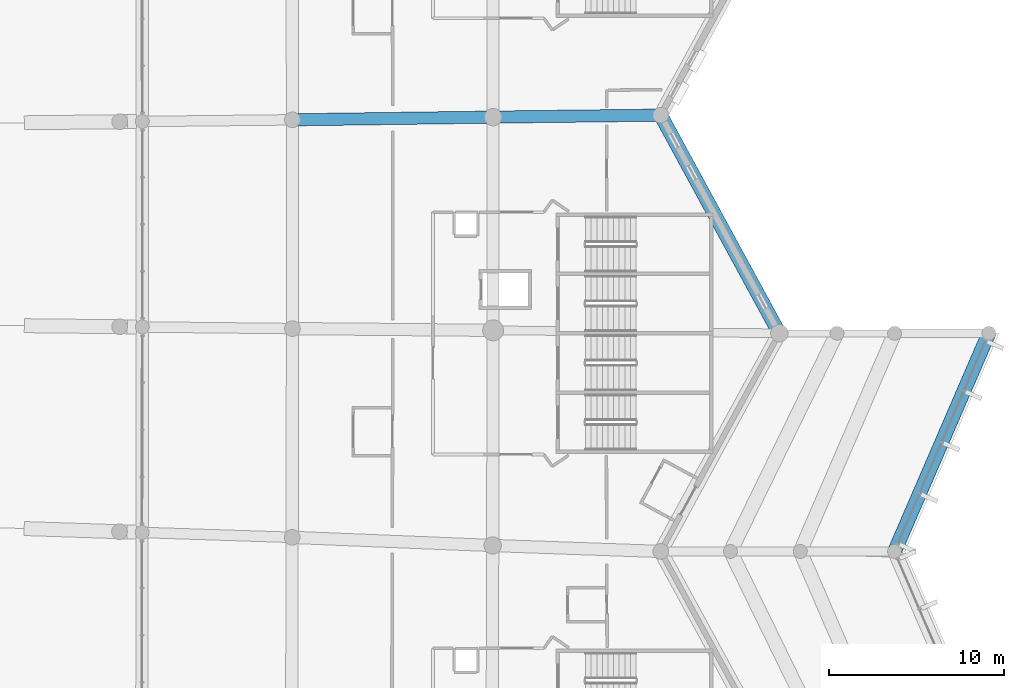
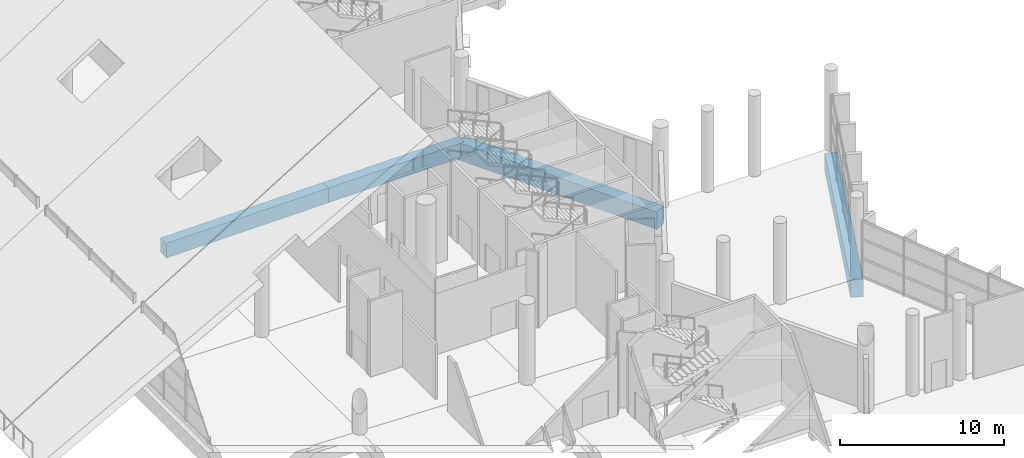
# One storey, part 51 of 249: 4 beams.
"""IFC4 building model written with IfcOpenShell, lengths in metres."""

from ifc_helpers import new_model, si_unit, direction, frame, origin, origin_2d, place, context, subcontext, project, spatial, rectangle, extrude, material, material_profile, profile_set, type_object, element, save


model = new_model("IFC4")

# Units and contexts
model_context = context("Model", 3, precision=1e-05, world=origin(), true_north=direction((0.0, 1.0)))
body_context = subcontext(model_context, "Body", "Model", "MODEL_VIEW")
ifc_project = project(units=[si_unit("LENGTHUNIT", "METRE"), si_unit("AREAUNIT", "SQUARE_METRE"), si_unit("VOLUMEUNIT", "CUBIC_METRE"), si_unit("PLANEANGLEUNIT", "RADIAN"), si_unit("MASSUNIT", "GRAM", prefix="KILO")], contexts=[model_context])

# Site, building, storey
site_placement = place(None, origin())
site = spatial("IfcSite", under=ifc_project, at=site_placement, CompositionType="ELEMENT")
building_placement = place(site_placement, origin())
building = spatial("IfcBuilding", under=site, at=building_placement, Name="Meseta Stadium", CompositionType="ELEMENT")
storey_placement = place(building_placement, frame((0.0, 0.0, 12.0)))
storey = spatial("IfcBuildingStorey", under=building, at=storey_placement, Name="L02", CompositionType="ELEMENT", Elevation=12.0)

# Beams
ifc_material_1 = material(Name="Concrete C40/50", Category="concrete")
ifc_material_profile_1 = material_profile(ifc_material_1, rectangle(XDim=0.699951171875, YDim=1.10009765625, at=origin_2d()), Name="RC 700x1100")
ifc_profile_set_1 = profile_set([ifc_material_profile_1], Name="Concrete C40/50")
beam_type_1 = type_object("IfcBeamType", Name="RC beam 700x1100", PredefinedType="BEAM", material=ifc_profile_set_1)
beam_1_placement = place(storey_placement, frame((73.498046875, 5.981201171875, -0.89990234375), z_axis=(0.9999079826, 0.013565630592, 0.0), x_axis=(-0.013565630592, 0.9999079826, 0.0)))
element("IfcBeam", 1, at=beam_1_placement, inside=storey, type_object=beam_type_1, Name="L02 radial beam frame 5 line E to P", PredefinedType="BEAM", context=body_context, shape_type="SweptSolid", body=[
    extrude(rectangle(XDim=0.699951171875, YDim=1.10009765625, at=origin_2d()), origin(), (0.0, 0.0, 1.0), 11.5),
])
beam_2_placement = place(storey_placement, frame((84.9970703125, 6.13720703125, -0.89990234375), z_axis=(0.999931028004, 0.01174475352, 0.0), x_axis=(-0.01174475352, 0.999931028004, 0.0)))
element("IfcBeam", 2, at=beam_2_placement, inside=storey, type_object=beam_type_1, Name="L02 radial beam frame 5 line P to R", PredefinedType="BEAM", context=body_context, shape_type="SweptSolid", body=[
    extrude(rectangle(XDim=0.699951171875, YDim=1.10009765625, at=origin_2d()), origin(), (0.0, 0.0, 1.0), 9.603759765625),
])
ifc_material_2 = material(Name="Concrete C40/50", Category="concrete")
ifc_material_profile_2 = material_profile(ifc_material_2, rectangle(XDim=0.800048828125, YDim=1.300048828125, at=origin_2d()), Name="RC 800x1300")
ifc_profile_set_2 = profile_set([ifc_material_profile_2], Name="Concrete C40/50")
beam_type_2 = type_object("IfcBeamType", Name="RC beam 800x1300", PredefinedType="BEAM", material=ifc_profile_set_2)
beam_3_placement = place(storey_placement, frame((101.39990234375, -6.25, -1.0), z_axis=(-0.47785649891, 0.878437912689, 0.0), x_axis=(-0.878437912689, -0.47785649891, 0.0)))
element("IfcBeam", 3, at=beam_3_placement, inside=storey, type_object=beam_type_2, Name="L02 ring beam frame 4 line R", PredefinedType="BEAM", context=body_context, shape_type="SweptSolid", body=[
    extrude(rectangle(XDim=0.800048828125, YDim=1.300048828125, at=origin_2d()), origin(), (0.0, 0.0, 1.0), 14.229736328125),
])
beam_4_placement = place(storey_placement, frame((108.0, -18.75, -1.0), z_axis=(0.396570645327, 0.918004206562, 0.0), x_axis=(-0.918004206562, 0.396570645327, 0.0)))
element("IfcBeam", 4, at=beam_4_placement, inside=storey, type_object=beam_type_2, Name="L02 ring beam frame 3 line O", PredefinedType="BEAM", context=body_context, shape_type="SweptSolid", body=[
    extrude(rectangle(XDim=0.800048828125, YDim=1.300048828125, at=origin_2d()), origin(), (0.0, 0.0, 1.0), 13.616455078125),
])

save(model, "model.ifc")
